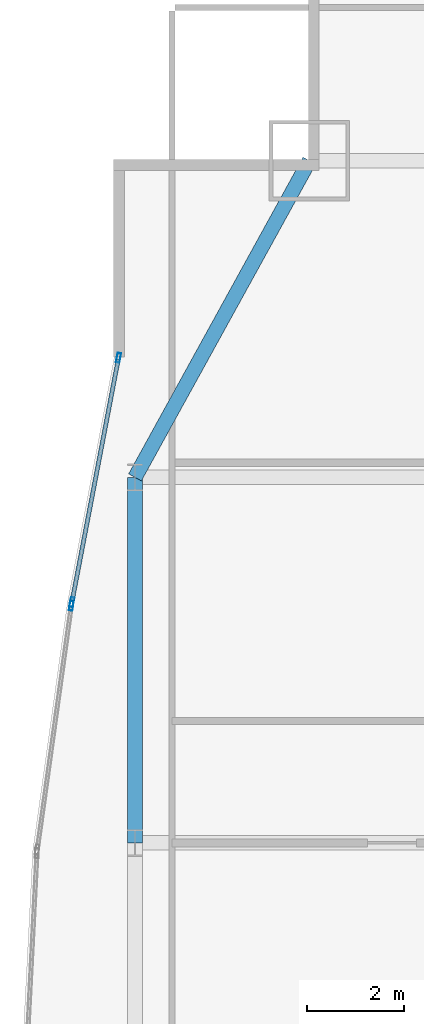
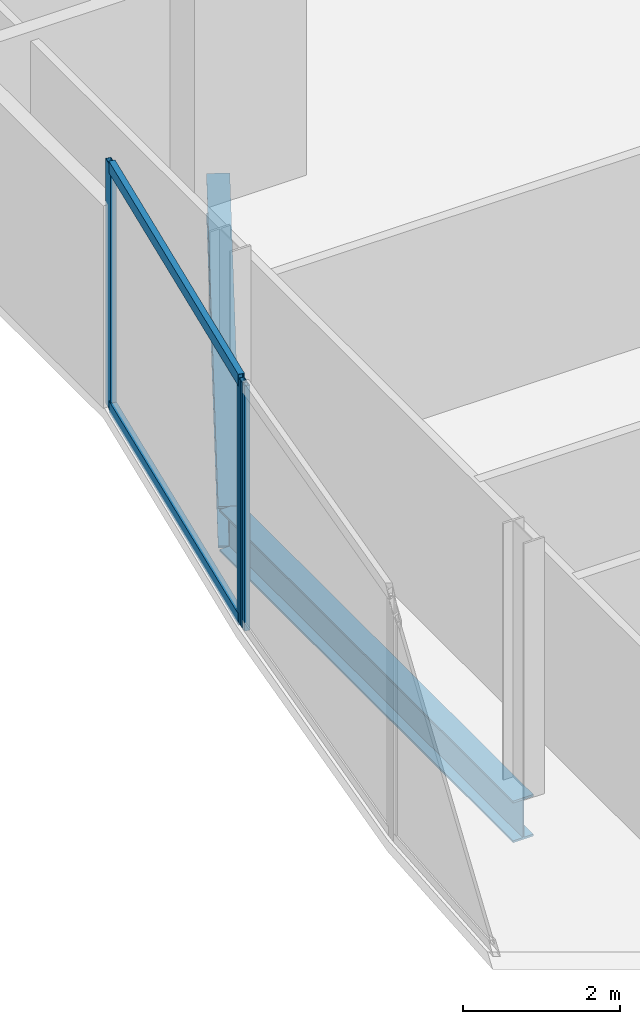
# One storey, part 16 of 37: 5 members, 2 beams, 2 elements without a shape of their own.
"""IFC4 building model written with IfcOpenShell, lengths in metres."""

from ifc_helpers import new_model, si_unit, direction, frame, origin, origin_2d, place, context, subcontext, project, spatial, hollow_rectangle, i_section, extrude, material, material_profile, profile_set, type_object, element, aggregate, save


model = new_model("IFC4")

# Units and contexts
model_context = context("Model", 3, precision=1e-05, world=origin(), true_north=direction((0.0, 1.0)))
body_context = subcontext(model_context, "Body", "Model", "MODEL_VIEW")
ifc_project = project(units=[si_unit("LENGTHUNIT", "METRE"), si_unit("AREAUNIT", "SQUARE_METRE"), si_unit("VOLUMEUNIT", "CUBIC_METRE"), si_unit("PLANEANGLEUNIT", "RADIAN"), si_unit("MASSUNIT", "GRAM", prefix="KILO")], contexts=[model_context])

# Site, building, storey
site_placement = place(None, origin())
site = spatial("IfcSite", under=ifc_project, at=site_placement, CompositionType="ELEMENT")
building_placement = place(site_placement, origin())
building = spatial("IfcBuilding", under=site, at=building_placement, Name="Khoronbel Lancet Exchange", CompositionType="ELEMENT")
storey_placement = place(building_placement, frame((0.0, 0.0, 45.800048828125)))
storey = spatial("IfcBuildingStorey", under=building, at=storey_placement, Name="L10", CompositionType="ELEMENT", Elevation=45.800048828125)

# Beams
ifc_material_1 = material(Name="Steel S355", Category="steel")
ifc_material_profile_1 = material_profile(ifc_material_1, i_section(OverallWidth=0.300048828125, OverallDepth=0.64990234375, WebThickness=0.01611328125, FlangeThickness=0.031005859375, at=origin_2d()), Name="HEB 650")
ifc_profile_set_1 = profile_set([ifc_material_profile_1], Name="Steel S355")
beam_type = type_object("IfcBeamType", Name="BM-BSP1", PredefinedType="SPANDREL", material=ifc_profile_set_1)
beam_1_placement = place(storey_placement, frame((4.85009765625, 49.699951171875, -0.505126953125), z_axis=(-0.482444051088, -0.875926787791, 0.0), x_axis=(0.875926787791, -0.482444051088, 0.0)))
element("IfcBeam", 1, at=beam_1_placement, inside=storey, type_object=beam_type, Name="Level L10 perimeter spandrel beam SP16", PredefinedType="SPANDREL", context=body_context, shape_type="SweptSolid", body=[
    extrude(i_section(OverallWidth=0.300048828125, OverallDepth=0.64990234375, WebThickness=0.01611328125, FlangeThickness=0.031005859375, at=origin_2d()), origin(), (0.0, 0.0, 1.0), 7.420654296875),
])
beam_2_placement = place(storey_placement, frame((1.27001953125, 43.199951171875, -0.505126953125), z_axis=(0.0, -1.0, 0.0), x_axis=(1.0, 0.0, 0.0)))
element("IfcBeam", 2, at=beam_2_placement, inside=storey, type_object=beam_type, Name="Level L10 perimeter spandrel beam SP17", PredefinedType="SPANDREL", context=body_context, shape_type="SweptSolid", body=[
    extrude(i_section(OverallWidth=0.300048828125, OverallDepth=0.64990234375, WebThickness=0.01611328125, FlangeThickness=0.031005859375, at=origin_2d()), origin(), (0.0, 0.0, 1.0), 7.5),
])

# Curtain wall, member
ifc_material_2 = material(Name="Low-E Solar Control Insulating Glass", Category="glass")
curtain_wall_type = type_object("IfcCurtainWallType", Name="CW-4", PredefinedType="NOTDEFINED", material=ifc_material_2)
curtain_wall_1_placement = place(storey_placement, origin())
curtain_wall_1 = element("IfcCurtainWall", 3, at=curtain_wall_1_placement, inside=storey, type_object=curtain_wall_type, Name="Unitised curtain wall CW-L10-E08", PredefinedType="NOTDEFINED")
ifc_material_3 = material(Name="Bronze-Anodised Aluminium 6063-T6", Category="aluminium")
ifc_material_profile_2 = material_profile(ifc_material_3, hollow_rectangle(XDim=0.074951171875, YDim=0.199951171875, WallThickness=0.0048828125, at=origin_2d()), Name="ALU MULLION 75x200")
ifc_profile_set_2 = profile_set([ifc_material_profile_2], Name="Bronze-Anodised Aluminium 6063-T6")
member_type_1 = type_object("IfcMemberType", Name="MEM-CWM2", PredefinedType="MULLION", material=ifc_profile_set_2)
member_1_placement = place(storey_placement, frame((-0.036376953125, 40.56494140625, 0.0), z_axis=(0.0, 0.0, 1.0), x_axis=(-0.990384767809, 0.138340202733, 0.0)))
member_1 = element("IfcMember", 4, at=member_1_placement, type_object=member_type_1, Name="CW4 mullion 2", PredefinedType="MULLION", context=body_context, shape_type="SweptSolid", body=[
    extrude(hollow_rectangle(XDim=0.074951171875, YDim=0.199951171875, WallThickness=0.0048828125, at=origin_2d()), origin(), (0.0, 0.0, 1.0), 3.820068359375),
])
aggregate(curtain_wall_1, [member_1])

# Curtain wall, members
curtain_wall_2_placement = place(storey_placement, origin())
curtain_wall_2 = element("IfcCurtainWall", 5, at=curtain_wall_2_placement, inside=storey, type_object=curtain_wall_type, Name="Unitised curtain wall CW-L10-E09", PredefinedType="NOTDEFINED")
member_2_placement = place(storey_placement, frame((-0.024169921875, 40.638916015625, 0.0), z_axis=(0.0, 0.0, 1.0), x_axis=(-0.982279223099, 0.187423391996, 0.0)))
member_2 = element("IfcMember", 6, at=member_2_placement, type_object=member_type_1, Name="CW4 mullion 1", PredefinedType="MULLION", context=body_context, shape_type="SweptSolid", body=[
    extrude(hollow_rectangle(XDim=0.074951171875, YDim=0.199951171875, WallThickness=0.0048828125, at=origin_2d()), origin(), (0.0, 0.0, 1.0), 3.820068359375),
])
member_3_placement = place(storey_placement, frame((0.932861328125, 45.65478515625, 0.0), z_axis=(0.0, 0.0, 1.0), x_axis=(-0.982279223099, 0.187423391996, 0.0)))
member_3 = element("IfcMember", 7, at=member_3_placement, type_object=member_type_1, Name="CW4 mullion 2", PredefinedType="MULLION", context=body_context, shape_type="SweptSolid", body=[
    extrude(hollow_rectangle(XDim=0.074951171875, YDim=0.199951171875, WallThickness=0.0048828125, at=origin_2d()), origin(), (0.0, 0.0, 1.0), 3.820068359375),
])
ifc_material_profile_3 = material_profile(ifc_material_3, hollow_rectangle(XDim=0.0849609375, YDim=0.179931640625, WallThickness=0.0048828125, at=origin_2d()), Name="ALU TRANSOM 85x180")
ifc_profile_set_3 = profile_set([ifc_material_profile_3], Name="Bronze-Anodised Aluminium 6063-T6")
member_type_2 = type_object("IfcMemberType", Name="MEM-CWT1", PredefinedType="USERDEFINED", material=ifc_profile_set_3)
member_4_placement = place(storey_placement, frame((-0.01708984375, 40.67578125, 0.04248046875), z_axis=(0.187448792919, 0.982274376146, 0.0), x_axis=(-0.982274376146, 0.187448792919, 0.0)))
member_4 = element("IfcMember", 8, at=member_4_placement, type_object=member_type_2, Name="CW4 transom 1.1", ObjectType="TRANSOM", PredefinedType="USERDEFINED", context=body_context, shape_type="SweptSolid", body=[
    extrude(hollow_rectangle(XDim=0.0849609375, YDim=0.179931640625, WallThickness=0.0048828125, at=origin_2d()), origin(), (0.0, 0.0, 1.0), 5.03125),
])
member_5_placement = place(storey_placement, frame((-0.01708984375, 40.67578125, 3.77734375), z_axis=(0.187448792919, 0.982274376146, 0.0), x_axis=(-0.982274376146, 0.187448792919, 0.0)))
member_5 = element("IfcMember", 9, at=member_5_placement, type_object=member_type_2, Name="CW4 transom 1.2", ObjectType="TRANSOM", PredefinedType="USERDEFINED", context=body_context, shape_type="SweptSolid", body=[
    extrude(hollow_rectangle(XDim=0.0849609375, YDim=0.179931640625, WallThickness=0.0048828125, at=origin_2d()), origin(), (0.0, 0.0, 1.0), 5.03125),
])
aggregate(curtain_wall_2, [member_2, member_3, member_4, member_5])

save(model, "model.ifc")
